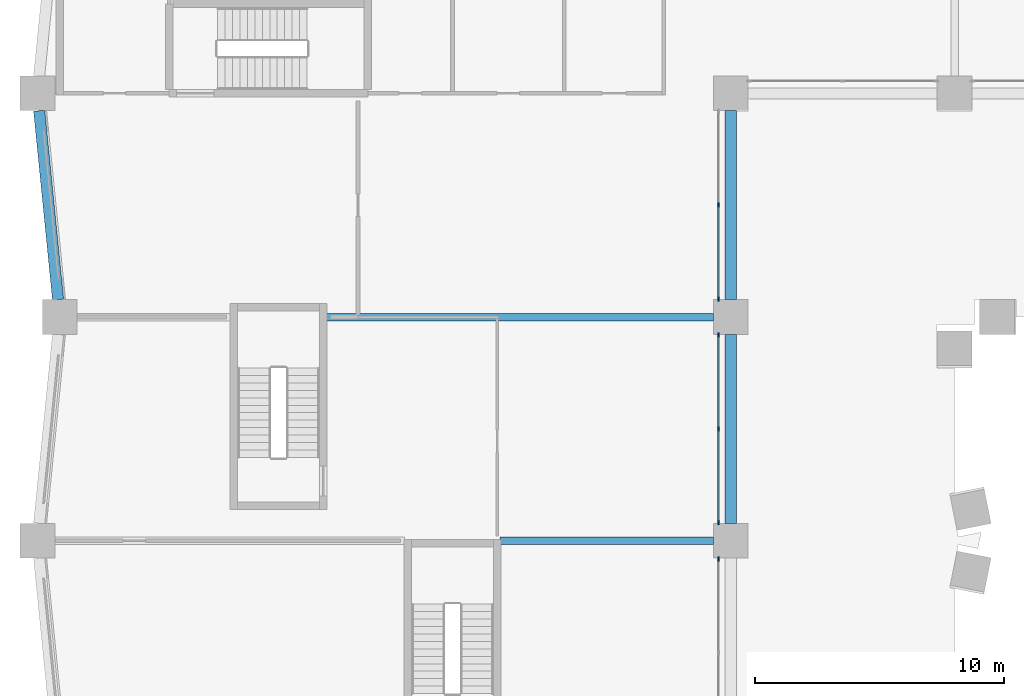
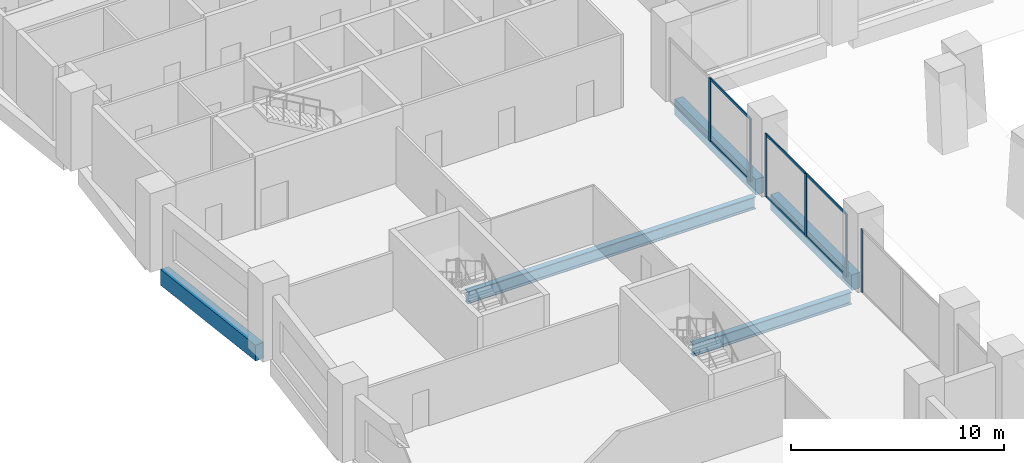
# One storey, part 3 of 18: 12 members, 5 beams, 3 elements without a shape of their own.
"""IFC4 building model written with IfcOpenShell, lengths in metres."""

from ifc_helpers import new_model, si_unit, direction, frame, origin, origin_2d, place, context, subcontext, project, spatial, rectangle, i_section, extrude, material, material_profile, profile_set, type_object, element, aggregate, save


model = new_model("IFC4")

# Units and contexts
model_context = context("Model", 3, precision=1e-05, world=origin(), true_north=direction((0.0, 1.0)))
body_context = subcontext(model_context, "Body", "Model", "MODEL_VIEW")
ifc_project = project(units=[si_unit("LENGTHUNIT", "METRE"), si_unit("AREAUNIT", "SQUARE_METRE"), si_unit("VOLUMEUNIT", "CUBIC_METRE"), si_unit("PLANEANGLEUNIT", "RADIAN"), si_unit("MASSUNIT", "GRAM", prefix="KILO")], contexts=[model_context])

# Site, building, storey
site_placement = place(None, origin())
site = spatial("IfcSite", under=ifc_project, at=site_placement, CompositionType="ELEMENT")
building_placement = place(site_placement, origin())
building = spatial("IfcBuilding", under=site, at=building_placement, Name="Brondeck Convention Tower", CompositionType="ELEMENT")
storey_placement = place(building_placement, frame((0.0, 0.0, 27.5)))
storey = spatial("IfcBuildingStorey", under=building, at=storey_placement, Name="L04", CompositionType="ELEMENT", Elevation=27.5)

# Curtain wall, member
ifc_material_1 = material(Name="Aluminium, bronze anodised", Category="aluminium")
curtain_wall_type = type_object("IfcCurtainWallType", Name="Podium hall curtain wall", PredefinedType="NOTDEFINED", material=ifc_material_1)
curtain_wall_1_placement = place(storey_placement, origin())
curtain_wall_1 = element("IfcCurtainWall", 1, at=curtain_wall_1_placement, inside=storey, type_object=curtain_wall_type, Name="ENV-CW2-L04-B-E-05", PredefinedType="NOTDEFINED")
ifc_material_profile_1 = material_profile(ifc_material_1, rectangle(XDim=0.06005859375, YDim=0.179931640625, at=origin_2d()), Name="CW2 mullion")
ifc_profile_set_1 = profile_set([ifc_material_profile_1], Name="Aluminium, bronze anodised")
member_type_1 = type_object("IfcMemberType", Name="CW2 mullion", PredefinedType="MULLION", material=ifc_profile_set_1)
member_1_placement = place(storey_placement, frame((26.5, 17.27001953125, 0.0), z_axis=(0.0, 0.0, 1.0), x_axis=(1.0, 0.0, 0.0)))
member_1 = element("IfcMember", 2, at=member_1_placement, type_object=member_type_1, Name="CW2 mullion 1", PredefinedType="MULLION", context=body_context, shape_type="SweptSolid", body=[
    extrude(rectangle(XDim=0.06005859375, YDim=0.179931640625, at=origin_2d()), origin(), (0.0, 0.0, 1.0), 3.60009765625),
])
aggregate(curtain_wall_1, [member_1])

# Curtain wall, members
curtain_wall_2_placement = place(storey_placement, origin())
curtain_wall_2 = element("IfcCurtainWall", 3, at=curtain_wall_2_placement, inside=storey, type_object=curtain_wall_type, Name="ENV-CW2-L04-B-E-03", PredefinedType="NOTDEFINED")
member_2_placement = place(storey_placement, frame((26.5, 26.27001953125, 0.0), z_axis=(0.0, 0.0, 1.0), x_axis=(1.0, 0.0, 0.0)))
member_2 = element("IfcMember", 4, at=member_2_placement, type_object=member_type_1, Name="CW2 mullion 1", PredefinedType="MULLION", context=body_context, shape_type="SweptSolid", body=[
    extrude(rectangle(XDim=0.06005859375, YDim=0.179931640625, at=origin_2d()), origin(), (0.0, 0.0, 1.0), 3.60009765625),
])
member_3_placement = place(storey_placement, frame((26.5, 22.5, 0.0), z_axis=(0.0, 0.0, 1.0), x_axis=(1.0, 0.0, 0.0)))
member_3 = element("IfcMember", 5, at=member_3_placement, type_object=member_type_1, Name="CW2 mullion 2", PredefinedType="MULLION", context=body_context, shape_type="SweptSolid", body=[
    extrude(rectangle(XDim=0.06005859375, YDim=0.179931640625, at=origin_2d()), origin(), (0.0, 0.0, 1.0), 3.60009765625),
])
member_4_placement = place(storey_placement, frame((26.5, 18.72998046875, 0.0), z_axis=(0.0, 0.0, 1.0), x_axis=(1.0, 0.0, 0.0)))
member_4 = element("IfcMember", 6, at=member_4_placement, type_object=member_type_1, Name="CW2 mullion 3", PredefinedType="MULLION", context=body_context, shape_type="SweptSolid", body=[
    extrude(rectangle(XDim=0.06005859375, YDim=0.179931640625, at=origin_2d()), origin(), (0.0, 0.0, 1.0), 3.60009765625),
])

curtain_wall_3_placement = place(storey_placement, origin())
curtain_wall_3 = element("IfcCurtainWall", 7, at=curtain_wall_3_placement, inside=storey, type_object=curtain_wall_type, Name="ENV-CW2-L04-B-E-01", PredefinedType="NOTDEFINED")
member_5_placement = place(storey_placement, frame((26.5, 31.5, 0.0), z_axis=(0.0, 0.0, 1.0), x_axis=(1.0, 0.0, 0.0)))
member_5 = element("IfcMember", 8, at=member_5_placement, type_object=member_type_1, Name="CW2 mullion 2", PredefinedType="MULLION", context=body_context, shape_type="SweptSolid", body=[
    extrude(rectangle(XDim=0.06005859375, YDim=0.179931640625, at=origin_2d()), origin(), (0.0, 0.0, 1.0), 3.60009765625),
])
member_6_placement = place(storey_placement, frame((26.5, 27.72998046875, 0.0), z_axis=(0.0, 0.0, 1.0), x_axis=(1.0, 0.0, 0.0)))
member_6 = element("IfcMember", 9, at=member_6_placement, type_object=member_type_1, Name="CW2 mullion 3", PredefinedType="MULLION", context=body_context, shape_type="SweptSolid", body=[
    extrude(rectangle(XDim=0.06005859375, YDim=0.179931640625, at=origin_2d()), origin(), (0.0, 0.0, 1.0), 3.60009765625),
])

# Member
ifc_material_profile_2 = material_profile(ifc_material_1, rectangle(XDim=0.06005859375, YDim=0.139892578125, at=origin_2d()), Name="CW2 transom")
ifc_profile_set_2 = profile_set([ifc_material_profile_2], Name="Aluminium, bronze anodised")
member_type_2 = type_object("IfcMemberType", Name="CW2 transom", PredefinedType="USERDEFINED", material=ifc_profile_set_2)
member_7_placement = place(storey_placement, frame((26.5, 26.239990234375, 0.030029296875), z_axis=(0.0, -1.0, 0.0), x_axis=(1.0, 0.0, 0.0)))
member_7 = element("IfcMember", 10, at=member_7_placement, type_object=member_type_2, Name="CW2 transom 1.1", ObjectType="TRANSOM", PredefinedType="USERDEFINED", context=body_context, shape_type="SweptSolid", body=[
    extrude(rectangle(XDim=0.06005859375, YDim=0.139892578125, at=origin_2d()), origin(), (0.0, 0.0, 1.0), 3.7099609375),
])

member_8_placement = place(storey_placement, frame((26.5, 26.239990234375, 3.570068359375), z_axis=(0.0, -1.0, 0.0), x_axis=(1.0, 0.0, 0.0)))
member_8 = element("IfcMember", 11, at=member_8_placement, type_object=member_type_2, Name="CW2 transom 1.2", ObjectType="TRANSOM", PredefinedType="USERDEFINED", context=body_context, shape_type="SweptSolid", body=[
    extrude(rectangle(XDim=0.06005859375, YDim=0.139892578125, at=origin_2d()), origin(), (0.0, 0.0, 1.0), 3.7099609375),
])

member_9_placement = place(storey_placement, frame((26.5, 22.469970703125, 0.030029296875), z_axis=(0.0, -1.0, 0.0), x_axis=(1.0, 0.0, 0.0)))
member_9 = element("IfcMember", 12, at=member_9_placement, type_object=member_type_2, Name="CW2 transom 2.1", ObjectType="TRANSOM", PredefinedType="USERDEFINED", context=body_context, shape_type="SweptSolid", body=[
    extrude(rectangle(XDim=0.06005859375, YDim=0.139892578125, at=origin_2d()), origin(), (0.0, 0.0, 1.0), 3.7099609375),
])

member_10_placement = place(storey_placement, frame((26.5, 22.469970703125, 3.570068359375), z_axis=(0.0, -1.0, 0.0), x_axis=(1.0, 0.0, 0.0)))
member_10 = element("IfcMember", 13, at=member_10_placement, type_object=member_type_2, Name="CW2 transom 2.2", ObjectType="TRANSOM", PredefinedType="USERDEFINED", context=body_context, shape_type="SweptSolid", body=[
    extrude(rectangle(XDim=0.06005859375, YDim=0.139892578125, at=origin_2d()), origin(), (0.0, 0.0, 1.0), 3.7099609375),
])

aggregate(curtain_wall_2, [member_2, member_3, member_4, member_7, member_8, member_9, member_10])

member_11_placement = place(storey_placement, frame((26.5, 31.469970703125, 0.030029296875), z_axis=(0.0, -1.0, 0.0), x_axis=(1.0, 0.0, 0.0)))
member_11 = element("IfcMember", 14, at=member_11_placement, type_object=member_type_2, Name="CW2 transom 2.1", ObjectType="TRANSOM", PredefinedType="USERDEFINED", context=body_context, shape_type="SweptSolid", body=[
    extrude(rectangle(XDim=0.06005859375, YDim=0.139892578125, at=origin_2d()), origin(), (0.0, 0.0, 1.0), 3.7099609375),
])

member_12_placement = place(storey_placement, frame((26.5, 31.469970703125, 3.570068359375), z_axis=(0.0, -1.0, 0.0), x_axis=(1.0, 0.0, 0.0)))
member_12 = element("IfcMember", 15, at=member_12_placement, type_object=member_type_2, Name="CW2 transom 2.2", ObjectType="TRANSOM", PredefinedType="USERDEFINED", context=body_context, shape_type="SweptSolid", body=[
    extrude(rectangle(XDim=0.06005859375, YDim=0.139892578125, at=origin_2d()), origin(), (0.0, 0.0, 1.0), 3.7099609375),
])

aggregate(curtain_wall_3, [member_5, member_6, member_11, member_12])

# Beams
ifc_material_2 = material(Name="Concrete C80/95", Category="concrete")
ifc_material_profile_3 = material_profile(ifc_material_2, rectangle(XDim=0.449951171875, YDim=0.89990234375, at=origin_2d()), Name="Edge beam 450x900 Concrete C80/95")
ifc_profile_set_3 = profile_set([ifc_material_profile_3], Name="Concrete C80/95")
beam_type_1 = type_object("IfcBeamType", Name="Edge beam 450x900 Concrete C80/95", PredefinedType="BEAM", material=ifc_profile_set_3)
for number, where, z_axis, x_axis, name in (
    (16, (27.0, 18.699951171875, -0.449951171875), (0.0, 1.0, 0.0), (-1.0, 0.0, 0.0), "STR-SP-L04-007"),
    (17, (27.0, 27.699951171875, -0.449951171875), (0.0, 1.0, 0.0), (-1.0, 0.0, 0.0), "STR-SP-L04-008"),
):
    element("IfcBeam", number, at=place(storey_placement, frame(where, z_axis=z_axis, x_axis=x_axis)), inside=storey, type_object=beam_type_1, Name=name, PredefinedType="BEAM", context=body_context, shape_type="SweptSolid", body=[
        extrude(rectangle(XDim=0.449951171875, YDim=0.89990234375, at=origin_2d()), origin(), (0.0, 0.0, 1.0), 7.60009765625),
    ])
beam_1_placement = place(storey_placement, frame((-0.830078125, 35.300048828125, -0.449951171875), z_axis=(0.099503719021, -0.99503719021, 0.0), x_axis=(0.99503719021, 0.099503719021, 0.0)))
element("IfcBeam", 18, at=beam_1_placement, inside=storey, type_object=beam_type_1, Name="STR-SP-L04-033", PredefinedType="BEAM", context=body_context, shape_type="SweptSolid", body=[
    extrude(rectangle(XDim=0.449951171875, YDim=0.89990234375, at=origin_2d()), origin(), (0.0, 0.0, 1.0), 7.637939453125),
])
ifc_material_3 = material(Name="Steel S355", Category="steel")
ifc_material_profile_4 = material_profile(ifc_material_3, i_section(OverallWidth=0.300048828125, OverallDepth=0.699951171875, WebThickness=0.01708984375, FlangeThickness=0.031982421875, FilletRadius=0.027099609375, at=origin_2d()), Name="HEB 700")
ifc_profile_set_4 = profile_set([ifc_material_profile_4], Name="Steel S355")
beam_type_2 = type_object("IfcBeamType", Name="Girder HEB 700", PredefinedType="BEAM", material=ifc_profile_set_4)
beam_2_placement = place(storey_placement, frame((17.719970703125, 18.0, -0.64990234375), z_axis=(1.0, 0.0, 0.0), x_axis=(0.0, 1.0, 0.0)))
element("IfcBeam", 19, at=beam_2_placement, inside=storey, type_object=beam_type_2, Name="STR-GR-L04-009", PredefinedType="BEAM", context=body_context, shape_type="SweptSolid", body=[
    extrude(i_section(OverallWidth=0.300048828125, OverallDepth=0.699951171875, WebThickness=0.01708984375, FlangeThickness=0.031982421875, FilletRadius=0.027099609375, at=origin_2d()), origin(), (0.0, 0.0, 1.0), 8.580078125),
])
beam_3_placement = place(storey_placement, frame((10.719970703125, 27.0, -0.64990234375), z_axis=(1.0, 0.0, 0.0), x_axis=(0.0, 1.0, 0.0)))
element("IfcBeam", 20, at=beam_3_placement, inside=storey, type_object=beam_type_2, Name="STR-GR-L04-011", PredefinedType="BEAM", context=body_context, shape_type="SweptSolid", body=[
    extrude(i_section(OverallWidth=0.300048828125, OverallDepth=0.699951171875, WebThickness=0.01708984375, FlangeThickness=0.031982421875, FilletRadius=0.027099609375, at=origin_2d()), origin(), (0.0, 0.0, 1.0), 15.580078125),
])

save(model, "model.ifc")
